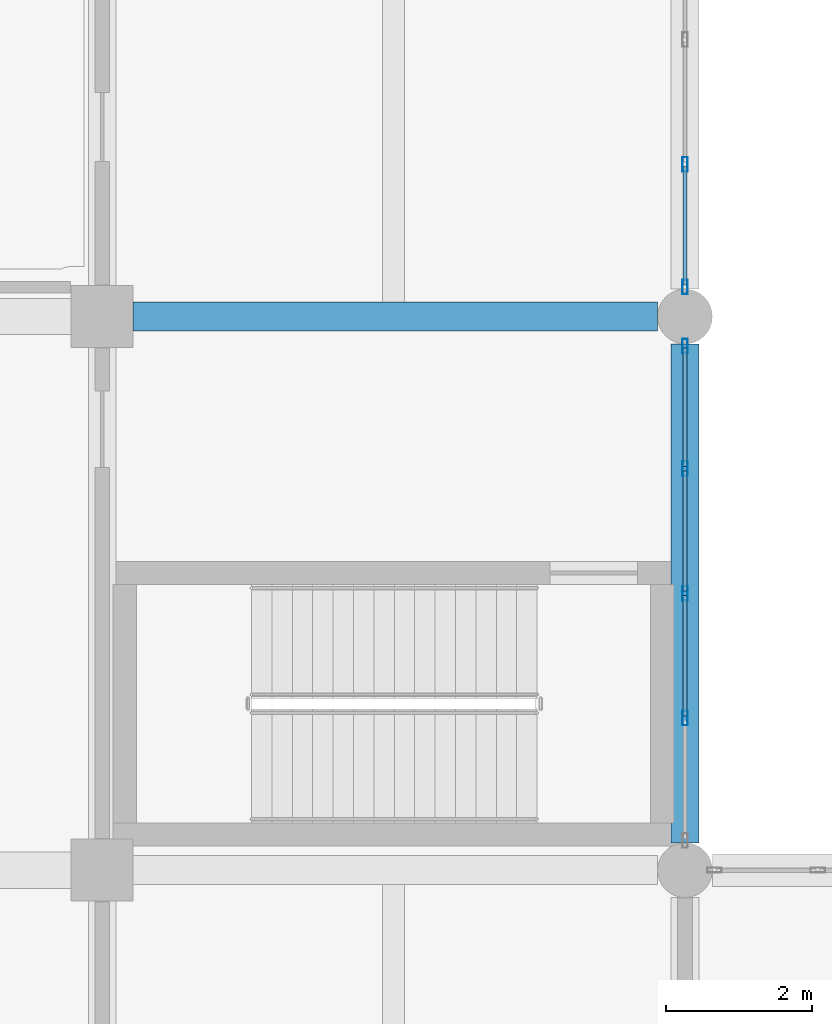
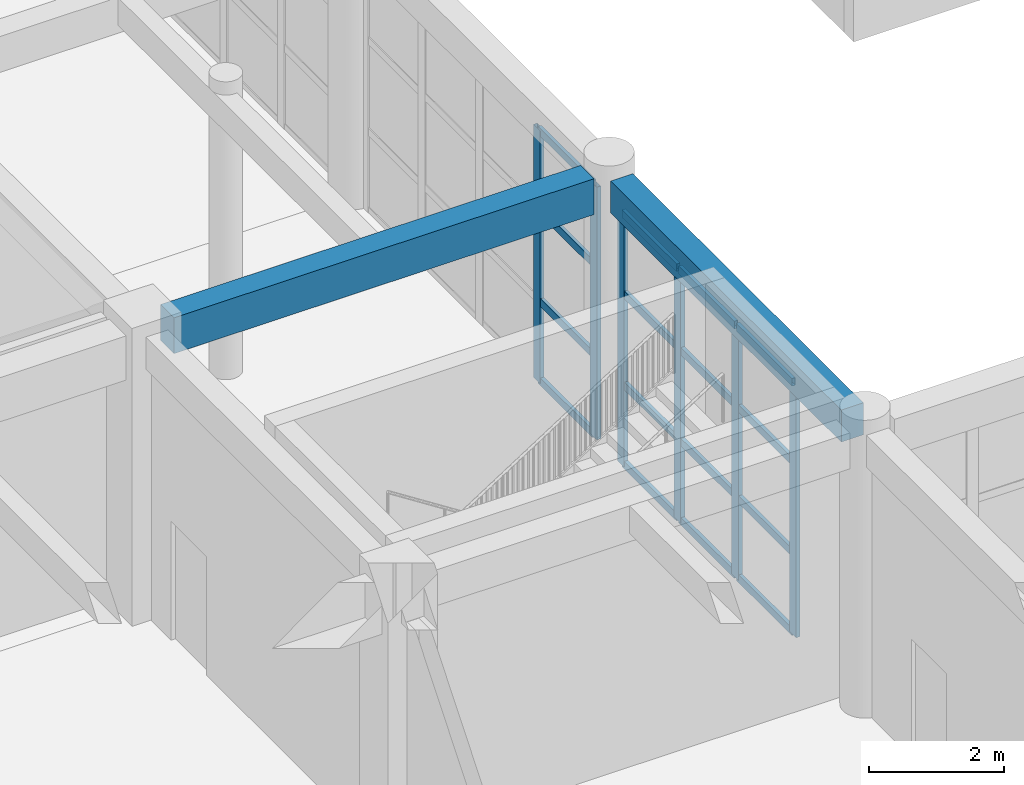
# One storey, part 34 of 95: 22 members, 2 beams, 2 elements without a shape of their own.
"""IFC4 building model written with IfcOpenShell, lengths in metres."""

from ifc_helpers import new_model, si_unit, direction, frame, origin, origin_2d, place, context, subcontext, project, spatial, rectangle, hollow_rectangle, extrude, material, material_profile, profile_set, type_object, element, aggregate, save


model = new_model("IFC4")

# Units and contexts
model_context = context("Model", 3, precision=1e-05, world=origin(), true_north=direction((0.0, 1.0)))
body_context = subcontext(model_context, "Body", "Model", "MODEL_VIEW")
ifc_project = project(units=[si_unit("LENGTHUNIT", "METRE"), si_unit("AREAUNIT", "SQUARE_METRE"), si_unit("VOLUMEUNIT", "CUBIC_METRE"), si_unit("PLANEANGLEUNIT", "RADIAN"), si_unit("MASSUNIT", "GRAM", prefix="KILO")], contexts=[model_context])

# Site, building, storey
site_placement = place(None, origin())
site = spatial("IfcSite", under=ifc_project, at=site_placement, CompositionType="ELEMENT")
building_placement = place(site_placement, origin())
building = spatial("IfcBuilding", under=site, at=building_placement, Name="Zantavel Square City Hall", CompositionType="ELEMENT")
storey_placement = place(building_placement, origin())
storey = spatial("IfcBuildingStorey", under=building, at=storey_placement, Name="L01", CompositionType="ELEMENT", Elevation=0.0)

# Beam
ifc_material_1 = material(Name="Concrete C35/45", Category="concrete")
ifc_material_profile_1 = material_profile(ifc_material_1, rectangle(XDim=0.3798828125, YDim=0.580078125, at=origin_2d()), Name="RC 380x580")
ifc_profile_set_1 = profile_set([ifc_material_profile_1], Name="Concrete C35/45")
beam_type_1 = type_object("IfcBeamType", Name="Annex Secondary Beam RC 380x580 C35/45", PredefinedType="BEAM", material=ifc_profile_set_1)
beam_1_placement = place(storey_placement, frame((120.0, 38.375, 4.8701171875), z_axis=(0.0, 1.0, 0.0), x_axis=(-1.0, 0.0, 0.0)))
element("IfcBeam", 1, at=beam_1_placement, inside=storey, type_object=beam_type_1, Name="L01 Beam BMY-L01-1200-0380", PredefinedType="BEAM", context=body_context, shape_type="SweptSolid", body=[
    extrude(rectangle(XDim=0.3798828125, YDim=0.580078125, at=origin_2d()), origin(), (0.0, 0.0, 1.0), 6.85009765625),
])

# Curtain wall, members
ifc_material_2 = material(Name="Anodised aluminium 6063-T6", Category="aluminium")
curtain_wall_type = type_object("IfcCurtainWallType", Name="Curtain Wall CRT 6850x4580", PredefinedType="USERDEFINED", material=ifc_material_2)
curtain_wall_1_placement = place(storey_placement, origin())
curtain_wall_1 = element("IfcCurtainWall", 2, at=curtain_wall_1_placement, inside=storey, type_object=curtain_wall_type, Name="L01 Glazed Curtain Wall CW-L01-025", ObjectType="GLAZED CURTAIN WALL", PredefinedType="USERDEFINED")
ifc_material_profile_2 = material_profile(ifc_material_2, hollow_rectangle(XDim=0.070068359375, YDim=0.199951171875, WallThickness=0.00439453125, at=origin_2d()), Name="ALU 70x200x4.5")
ifc_profile_set_2 = profile_set([ifc_material_profile_2], Name="Anodised aluminium 6063-T6")
member_type_1 = type_object("IfcMemberType", Name="CW Heavy Hall Mullion ALU 70x200x4.5", PredefinedType="MULLION", material=ifc_profile_set_2)
member_1_placement = place(storey_placement, frame((120.0, 47.6875, 0.0), z_axis=(0.0, 0.0, 1.0), x_axis=(1.0, 0.0, 0.0)))
member_1 = element("IfcMember", 3, at=member_1_placement, type_object=member_type_1, Name="CW-025 mullion 4", PredefinedType="MULLION", context=body_context, shape_type="SweptSolid", body=[
    extrude(hollow_rectangle(XDim=0.070068359375, YDim=0.199951171875, WallThickness=0.00439453125, at=origin_2d()), origin(), (0.0, 0.0, 1.0), 4.580078125),
])
member_2_placement = place(storey_placement, frame((120.0, 46.0048828125, 0.0), z_axis=(0.0, 0.0, 1.0), x_axis=(1.0, 0.0, 0.0)))
member_2 = element("IfcMember", 4, at=member_2_placement, type_object=member_type_1, Name="CW-025 mullion 5", PredefinedType="MULLION", context=body_context, shape_type="SweptSolid", body=[
    extrude(hollow_rectangle(XDim=0.070068359375, YDim=0.199951171875, WallThickness=0.00439453125, at=origin_2d()), origin(), (0.0, 0.0, 1.0), 4.580078125),
])

curtain_wall_2_placement = place(storey_placement, origin())
curtain_wall_2 = element("IfcCurtainWall", 5, at=curtain_wall_2_placement, inside=storey, type_object=curtain_wall_type, Name="L01 Glazed Curtain Wall CW-L01-026", ObjectType="GLAZED CURTAIN WALL", PredefinedType="USERDEFINED")
member_3_placement = place(storey_placement, frame((120.0, 45.195068359375, 0.0), z_axis=(0.0, 0.0, 1.0), x_axis=(1.0, 0.0, 0.0)))
member_3 = element("IfcMember", 6, at=member_3_placement, type_object=member_type_1, Name="CW-026 mullion 1", PredefinedType="MULLION", context=body_context, shape_type="SweptSolid", body=[
    extrude(hollow_rectangle(XDim=0.070068359375, YDim=0.199951171875, WallThickness=0.00439453125, at=origin_2d()), origin(), (0.0, 0.0, 1.0), 4.580078125),
])
member_4_placement = place(storey_placement, frame((120.0, 43.512451171875, 0.0), z_axis=(0.0, 0.0, 1.0), x_axis=(1.0, 0.0, 0.0)))
member_4 = element("IfcMember", 7, at=member_4_placement, type_object=member_type_1, Name="CW-026 mullion 2", PredefinedType="MULLION", context=body_context, shape_type="SweptSolid", body=[
    extrude(hollow_rectangle(XDim=0.070068359375, YDim=0.199951171875, WallThickness=0.00439453125, at=origin_2d()), origin(), (0.0, 0.0, 1.0), 4.580078125),
])
member_5_placement = place(storey_placement, frame((120.0, 41.800048828125, 0.0), z_axis=(0.0, 0.0, 1.0), x_axis=(1.0, 0.0, 0.0)))
member_5 = element("IfcMember", 8, at=member_5_placement, type_object=member_type_1, Name="CW-026 mullion 3", PredefinedType="MULLION", context=body_context, shape_type="SweptSolid", body=[
    extrude(hollow_rectangle(XDim=0.070068359375, YDim=0.199951171875, WallThickness=0.00439453125, at=origin_2d()), origin(), (0.0, 0.0, 1.0), 4.580078125),
])
member_6_placement = place(storey_placement, frame((120.0, 40.08740234375, 0.0), z_axis=(0.0, 0.0, 1.0), x_axis=(1.0, 0.0, 0.0)))
member_6 = element("IfcMember", 9, at=member_6_placement, type_object=member_type_1, Name="CW-026 mullion 4", PredefinedType="MULLION", context=body_context, shape_type="SweptSolid", body=[
    extrude(hollow_rectangle(XDim=0.070068359375, YDim=0.199951171875, WallThickness=0.00439453125, at=origin_2d()), origin(), (0.0, 0.0, 1.0), 4.580078125),
])

# Member
ifc_material_profile_3 = material_profile(ifc_material_2, hollow_rectangle(XDim=0.06005859375, YDim=0.139892578125, WallThickness=0.00390625, at=origin_2d()), Name="ALU 60x140x4")
ifc_profile_set_3 = profile_set([ifc_material_profile_3], Name="Anodised aluminium 6063-T6")
member_type_2 = type_object("IfcMemberType", Name="CW Transom ALU 60x140x4", PredefinedType="USERDEFINED", material=ifc_profile_set_3)
member_7_placement = place(storey_placement, frame((120.0, 47.657470703125, 0.030029296875), z_axis=(0.0, -1.0, 0.0), x_axis=(1.0, 0.0, 0.0)))
member_7 = element("IfcMember", 10, at=member_7_placement, type_object=member_type_2, Name="CW-025 transom 4.1", ObjectType="TRANSOM", PredefinedType="USERDEFINED", context=body_context, shape_type="SweptSolid", body=[
    extrude(hollow_rectangle(XDim=0.06005859375, YDim=0.139892578125, WallThickness=0.00390625, at=origin_2d()), origin(), (0.0, 0.0, 1.0), 1.62255859375),
])

member_8_placement = place(storey_placement, frame((120.0, 47.657470703125, 1.466064453125), z_axis=(0.0, -1.0, 0.0), x_axis=(1.0, 0.0, 0.0)))
member_8 = element("IfcMember", 11, at=member_8_placement, type_object=member_type_2, Name="CW-025 transom 4.2", ObjectType="TRANSOM", PredefinedType="USERDEFINED", context=body_context, shape_type="SweptSolid", body=[
    extrude(hollow_rectangle(XDim=0.06005859375, YDim=0.139892578125, WallThickness=0.00390625, at=origin_2d()), origin(), (0.0, 0.0, 1.0), 1.62255859375),
])

member_9_placement = place(storey_placement, frame((120.0, 47.657470703125, 3.114013671875), z_axis=(0.0, -1.0, 0.0), x_axis=(1.0, 0.0, 0.0)))
member_9 = element("IfcMember", 12, at=member_9_placement, type_object=member_type_2, Name="CW-025 transom 4.3", ObjectType="TRANSOM", PredefinedType="USERDEFINED", context=body_context, shape_type="SweptSolid", body=[
    extrude(hollow_rectangle(XDim=0.06005859375, YDim=0.139892578125, WallThickness=0.00390625, at=origin_2d()), origin(), (0.0, 0.0, 1.0), 1.62255859375),
])

member_10_placement = place(storey_placement, frame((120.0, 47.657470703125, 4.550048828125), z_axis=(0.0, -1.0, 0.0), x_axis=(1.0, 0.0, 0.0)))
member_10 = element("IfcMember", 13, at=member_10_placement, type_object=member_type_2, Name="CW-025 transom 4.4", ObjectType="TRANSOM", PredefinedType="USERDEFINED", context=body_context, shape_type="SweptSolid", body=[
    extrude(hollow_rectangle(XDim=0.06005859375, YDim=0.139892578125, WallThickness=0.00390625, at=origin_2d()), origin(), (0.0, 0.0, 1.0), 1.62255859375),
])

aggregate(curtain_wall_1, [member_1, member_2, member_7, member_8, member_9, member_10])

member_11_placement = place(storey_placement, frame((120.0, 45.1650390625, 0.030029296875), z_axis=(0.0, -1.0, 0.0), x_axis=(1.0, 0.0, 0.0)))
member_11 = element("IfcMember", 14, at=member_11_placement, type_object=member_type_2, Name="CW-026 transom 1.1", ObjectType="TRANSOM", PredefinedType="USERDEFINED", context=body_context, shape_type="SweptSolid", body=[
    extrude(hollow_rectangle(XDim=0.06005859375, YDim=0.139892578125, WallThickness=0.00390625, at=origin_2d()), origin(), (0.0, 0.0, 1.0), 1.62255859375),
])

member_12_placement = place(storey_placement, frame((120.0, 45.1650390625, 1.466064453125), z_axis=(0.0, -1.0, 0.0), x_axis=(1.0, 0.0, 0.0)))
member_12 = element("IfcMember", 15, at=member_12_placement, type_object=member_type_2, Name="CW-026 transom 1.2", ObjectType="TRANSOM", PredefinedType="USERDEFINED", context=body_context, shape_type="SweptSolid", body=[
    extrude(hollow_rectangle(XDim=0.06005859375, YDim=0.139892578125, WallThickness=0.00390625, at=origin_2d()), origin(), (0.0, 0.0, 1.0), 1.62255859375),
])

member_13_placement = place(storey_placement, frame((120.0, 45.1650390625, 3.114013671875), z_axis=(0.0, -1.0, 0.0), x_axis=(1.0, 0.0, 0.0)))
member_13 = element("IfcMember", 16, at=member_13_placement, type_object=member_type_2, Name="CW-026 transom 1.3", ObjectType="TRANSOM", PredefinedType="USERDEFINED", context=body_context, shape_type="SweptSolid", body=[
    extrude(hollow_rectangle(XDim=0.06005859375, YDim=0.139892578125, WallThickness=0.00390625, at=origin_2d()), origin(), (0.0, 0.0, 1.0), 1.62255859375),
])

member_14_placement = place(storey_placement, frame((120.0, 45.1650390625, 4.550048828125), z_axis=(0.0, -1.0, 0.0), x_axis=(1.0, 0.0, 0.0)))
member_14 = element("IfcMember", 17, at=member_14_placement, type_object=member_type_2, Name="CW-026 transom 1.4", ObjectType="TRANSOM", PredefinedType="USERDEFINED", context=body_context, shape_type="SweptSolid", body=[
    extrude(hollow_rectangle(XDim=0.06005859375, YDim=0.139892578125, WallThickness=0.00390625, at=origin_2d()), origin(), (0.0, 0.0, 1.0), 1.62255859375),
])

member_15_placement = place(storey_placement, frame((120.0, 43.482421875, 0.030029296875), z_axis=(0.0, -1.0, 0.0), x_axis=(1.0, 0.0, 0.0)))
member_15 = element("IfcMember", 18, at=member_15_placement, type_object=member_type_2, Name="CW-026 transom 2.1", ObjectType="TRANSOM", PredefinedType="USERDEFINED", context=body_context, shape_type="SweptSolid", body=[
    extrude(hollow_rectangle(XDim=0.06005859375, YDim=0.139892578125, WallThickness=0.00390625, at=origin_2d()), origin(), (0.0, 0.0, 1.0), 1.65234375),
])

member_16_placement = place(storey_placement, frame((120.0, 43.482421875, 1.466064453125), z_axis=(0.0, -1.0, 0.0), x_axis=(1.0, 0.0, 0.0)))
member_16 = element("IfcMember", 19, at=member_16_placement, type_object=member_type_2, Name="CW-026 transom 2.2", ObjectType="TRANSOM", PredefinedType="USERDEFINED", context=body_context, shape_type="SweptSolid", body=[
    extrude(hollow_rectangle(XDim=0.06005859375, YDim=0.139892578125, WallThickness=0.00390625, at=origin_2d()), origin(), (0.0, 0.0, 1.0), 1.65234375),
])

member_17_placement = place(storey_placement, frame((120.0, 43.482421875, 3.114013671875), z_axis=(0.0, -1.0, 0.0), x_axis=(1.0, 0.0, 0.0)))
member_17 = element("IfcMember", 20, at=member_17_placement, type_object=member_type_2, Name="CW-026 transom 2.3", ObjectType="TRANSOM", PredefinedType="USERDEFINED", context=body_context, shape_type="SweptSolid", body=[
    extrude(hollow_rectangle(XDim=0.06005859375, YDim=0.139892578125, WallThickness=0.00390625, at=origin_2d()), origin(), (0.0, 0.0, 1.0), 1.65234375),
])

member_18_placement = place(storey_placement, frame((120.0, 43.482421875, 4.550048828125), z_axis=(0.0, -1.0, 0.0), x_axis=(1.0, 0.0, 0.0)))
member_18 = element("IfcMember", 21, at=member_18_placement, type_object=member_type_2, Name="CW-026 transom 2.4", ObjectType="TRANSOM", PredefinedType="USERDEFINED", context=body_context, shape_type="SweptSolid", body=[
    extrude(hollow_rectangle(XDim=0.06005859375, YDim=0.139892578125, WallThickness=0.00390625, at=origin_2d()), origin(), (0.0, 0.0, 1.0), 1.65234375),
])

member_19_placement = place(storey_placement, frame((120.0, 41.77001953125, 0.030029296875), z_axis=(0.0, -1.0, 0.0), x_axis=(1.0, 0.0, 0.0)))
member_19 = element("IfcMember", 22, at=member_19_placement, type_object=member_type_2, Name="CW-026 transom 3.1", ObjectType="TRANSOM", PredefinedType="USERDEFINED", context=body_context, shape_type="SweptSolid", body=[
    extrude(hollow_rectangle(XDim=0.06005859375, YDim=0.139892578125, WallThickness=0.00390625, at=origin_2d()), origin(), (0.0, 0.0, 1.0), 1.652587890625),
])

member_20_placement = place(storey_placement, frame((120.0, 41.77001953125, 1.466064453125), z_axis=(0.0, -1.0, 0.0), x_axis=(1.0, 0.0, 0.0)))
member_20 = element("IfcMember", 23, at=member_20_placement, type_object=member_type_2, Name="CW-026 transom 3.2", ObjectType="TRANSOM", PredefinedType="USERDEFINED", context=body_context, shape_type="SweptSolid", body=[
    extrude(hollow_rectangle(XDim=0.06005859375, YDim=0.139892578125, WallThickness=0.00390625, at=origin_2d()), origin(), (0.0, 0.0, 1.0), 1.652587890625),
])

member_21_placement = place(storey_placement, frame((120.0, 41.77001953125, 3.114013671875), z_axis=(0.0, -1.0, 0.0), x_axis=(1.0, 0.0, 0.0)))
member_21 = element("IfcMember", 24, at=member_21_placement, type_object=member_type_2, Name="CW-026 transom 3.3", ObjectType="TRANSOM", PredefinedType="USERDEFINED", context=body_context, shape_type="SweptSolid", body=[
    extrude(hollow_rectangle(XDim=0.06005859375, YDim=0.139892578125, WallThickness=0.00390625, at=origin_2d()), origin(), (0.0, 0.0, 1.0), 1.652587890625),
])

member_22_placement = place(storey_placement, frame((120.0, 41.77001953125, 4.550048828125), z_axis=(0.0, -1.0, 0.0), x_axis=(1.0, 0.0, 0.0)))
member_22 = element("IfcMember", 25, at=member_22_placement, type_object=member_type_2, Name="CW-026 transom 3.4", ObjectType="TRANSOM", PredefinedType="USERDEFINED", context=body_context, shape_type="SweptSolid", body=[
    extrude(hollow_rectangle(XDim=0.06005859375, YDim=0.139892578125, WallThickness=0.00390625, at=origin_2d()), origin(), (0.0, 0.0, 1.0), 1.652587890625),
])

aggregate(curtain_wall_2, [member_3, member_4, member_5, member_6, member_11, member_12, member_13, member_14, member_15, member_16, member_17, member_18, member_19, member_20, member_21, member_22])

# Beam
ifc_material_profile_4 = material_profile(ifc_material_1, rectangle(XDim=0.39990234375, YDim=0.64990234375, at=origin_2d()), Name="RC 400x650")
ifc_profile_set_4 = profile_set([ifc_material_profile_4], Name="Concrete C35/45")
beam_type_2 = type_object("IfcBeamType", Name="Frame Beam RC 400x650 C35/45", PredefinedType="BEAM", material=ifc_profile_set_4)
beam_2_placement = place(storey_placement, frame((112.425048828125, 45.60009765625, 4.8349609375), z_axis=(1.0, 0.0, 0.0), x_axis=(0.0, 1.0, 0.0)))
element("IfcBeam", 26, at=beam_2_placement, inside=storey, type_object=beam_type_2, Name="L01 Girder BMX-L01-1120-0456", PredefinedType="BEAM", context=body_context, shape_type="SweptSolid", body=[
    extrude(rectangle(XDim=0.39990234375, YDim=0.64990234375, at=origin_2d()), origin(), (0.0, 0.0, 1.0), 7.199951171875),
])

save(model, "model.ifc")
